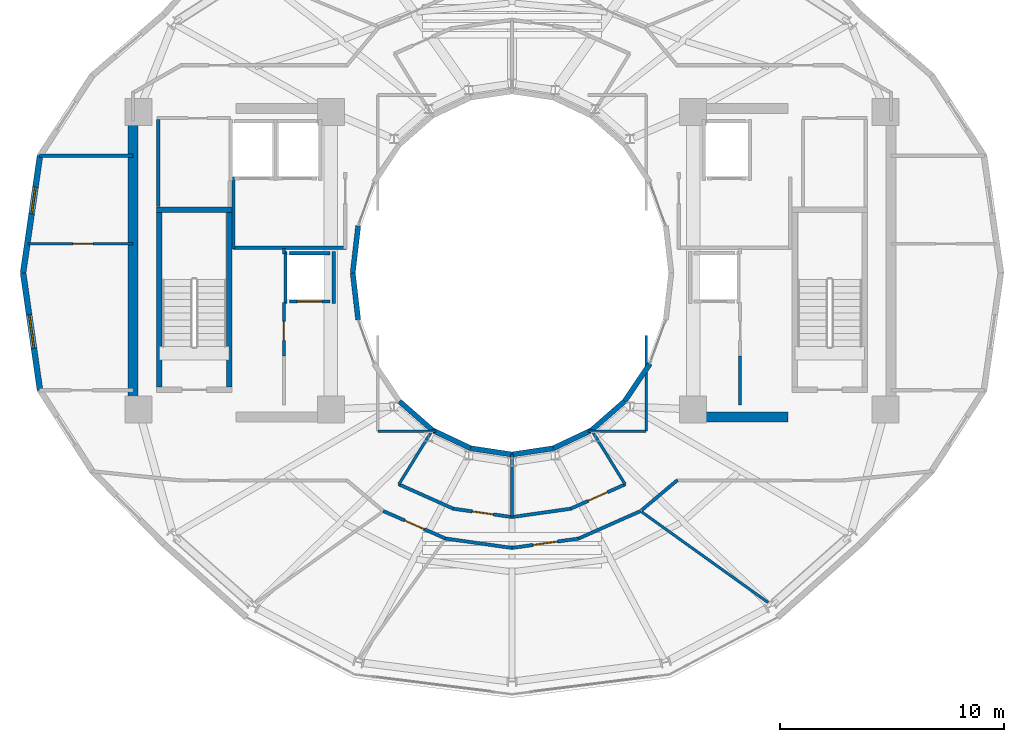
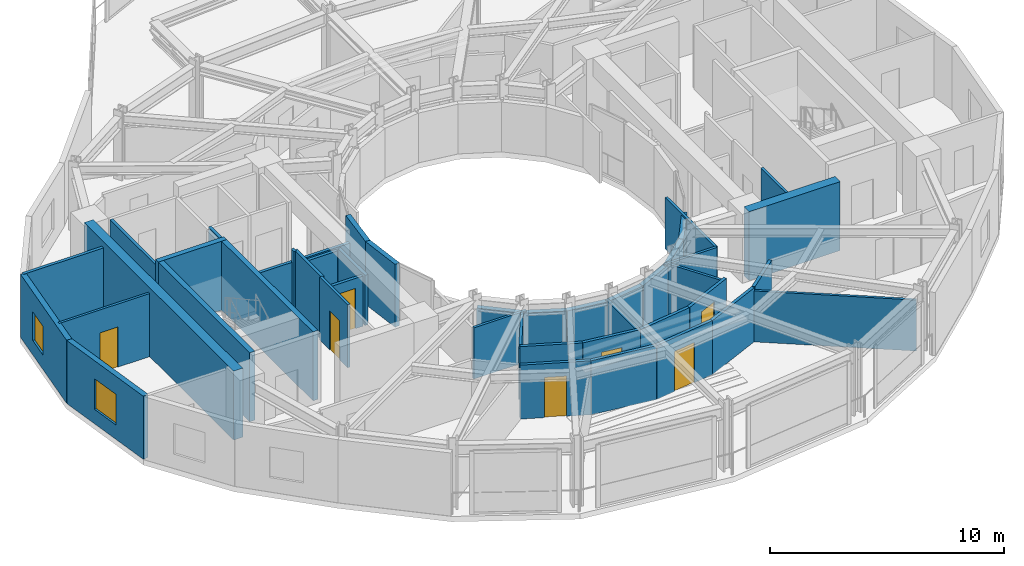
# One storey, part 18 of 24: 44 walls, 7 doors, 2 windows, 9 openings.
"""IFC4 building model written with IfcOpenShell, lengths in metres."""

from ifc_helpers import new_model, si_unit, direction, frame, frame_2d, origin, place, context, subcontext, project, spatial, rectangle, extrude, material, layer, layer_set, type_object, element, fill, save


model = new_model("IFC4")

# Units and contexts
model_context = context("Model", 3, precision=1e-05, world=origin(), true_north=direction((0.0, 1.0)))
body_context = subcontext(model_context, "Body", "Model", "MODEL_VIEW")
ifc_project = project(units=[si_unit("LENGTHUNIT", "METRE"), si_unit("AREAUNIT", "SQUARE_METRE"), si_unit("VOLUMEUNIT", "CUBIC_METRE"), si_unit("PLANEANGLEUNIT", "RADIAN"), si_unit("MASSUNIT", "GRAM", prefix="KILO")], contexts=[model_context])

# Site, building, storey
site_placement = place(None, origin())
site = spatial("IfcSite", under=ifc_project, at=site_placement, CompositionType="ELEMENT")
building_placement = place(site_placement, origin())
building = spatial("IfcBuilding", under=site, at=building_placement, Name="Solvane Sanctuary Tower", CompositionType="ELEMENT")
storey_placement = place(building_placement, frame((0.0, 0.0, 253.199951171875)))
storey = spatial("IfcBuildingStorey", under=building, at=storey_placement, Name="L77", CompositionType="ELEMENT", Elevation=253.199951171875)

# Walls
ifc_material_1 = material(Name="Concrete C50/60", Category="concrete")
ifc_layer_1 = layer(ifc_material_1, 0.449951171875, Name="Concrete C50/60")
ifc_layer_set_1 = layer_set([ifc_layer_1], Name="Concrete C50/60")
wall_type_1 = type_object("IfcWallType", Name="Wall W-CORE-450", PredefinedType="SHEAR", material=ifc_layer_set_1)
wall_1_placement = place(storey_placement, frame((15.050048828125, 17.050048828125, 0.0), z_axis=(0.0, 0.0, 1.0), x_axis=(0.0, 1.0, 0.0)))
element("IfcWall", 1, at=wall_1_placement, inside=storey, type_object=wall_type_1, Name="L77 Core Shear Wall WC-W", PredefinedType="SHEAR", context=body_context, shape_type="SweptSolid", body=[
    extrude(rectangle(XDim=12.800048828125, YDim=0.449951171875, at=frame_2d((6.39990234375, 0.0))), origin(), (0.0, 0.0, 1.0), 3.60009765625),
])
wall_2_placement = place(storey_placement, frame((39.85009765625, 16.550048828125, 0.0), z_axis=(0.0, 0.0, 1.0), x_axis=(1.0, 0.0, 0.0)))
element("IfcWall", 2, at=wall_2_placement, inside=storey, type_object=wall_type_1, Name="L77 Core Shear Wall EC-S", PredefinedType="SHEAR", context=body_context, shape_type="SweptSolid", body=[
    extrude(rectangle(XDim=4.5, YDim=0.449951171875, at=frame_2d((2.25, 0.0))), origin(), (0.0, 0.0, 1.0), 3.60009765625),
])
ifc_material_2 = material(Name="Acoustic Gypsum Partition Board")
ifc_layer_2 = layer(ifc_material_2, 0.14990234375, Name="Acoustic Gypsum Partition Board")
ifc_layer_set_2 = layer_set([ifc_layer_2], Name="Acoustic Gypsum Partition Board")
wall_type_2 = type_object("IfcWallType", Name="Wall W-CORR-150", PredefinedType="PARTITIONING", material=ifc_layer_set_2)
wall_3_placement = place(storey_placement, frame((19.52001953125, 24.1201171875, 0.0), z_axis=(0.0, 0.0, 1.0), x_axis=(1.0, 0.0, 0.0)))
element("IfcWall", 3, at=wall_3_placement, inside=storey, type_object=wall_type_2, Name="L77 West Firefighting Lobby South Wall", PredefinedType="PARTITIONING", context=body_context, shape_type="SweptSolid", body=[
    extrude(rectangle(XDim=5.080078125, YDim=0.14990234375, at=frame_2d((2.5400390625, 0.0))), origin(), (0.0, 0.0, 1.0), 2.6201171875),
])
wall_4_placement = place(storey_placement, frame((19.550048828125, 24.080078125, 0.0), z_axis=(0.0, 0.0, 1.0), x_axis=(0.0, 1.0, 0.0)))
element("IfcWall", 4, at=wall_4_placement, inside=storey, type_object=wall_type_2, Name="L77 West Firefighting Lobby West Wall", PredefinedType="PARTITIONING", context=body_context, shape_type="SweptSolid", body=[
    extrude(rectangle(XDim=3.199951171875, YDim=0.14990234375, at=frame_2d((1.60009765625, 0.0))), origin(), (0.0, 0.0, 1.0), 3.295166015625),
])
wall_5_placement = place(storey_placement, frame((26.934814453125, 13.548583984375, 0.0), z_axis=(0.0, 0.0, 1.0), x_axis=(0.912859324183, -0.408274239027, 0.0)))
element("IfcWall", 5, at=wall_5_placement, inside=storey, type_object=wall_type_2, Name="L77 South Light-Well Corridor Wall 1", PredefinedType="PARTITIONING", context=body_context, shape_type="SweptSolid", body=[
    extrude(rectangle(XDim=2.681884765625, YDim=0.14990234375, at=frame_2d((1.3408203125, 0.0))), origin(), (0.0, 0.0, 1.0), 2.816162109375),
])

# Wall, opening, door
wall_6_placement = place(storey_placement, frame((29.379638671875, 12.45458984375, 0.0), z_axis=(0.0, 0.0, 1.0), x_axis=(0.990096156252, -0.140390887794, 0.0)))
wall_6 = element("IfcWall", 6, at=wall_6_placement, inside=storey, type_object=wall_type_2, Name="L77 South Light-Well Corridor Wall 1", PredefinedType="PARTITIONING", context=body_context, shape_type="SweptSolid", body=[
    extrude(rectangle(XDim=2.65380859375, YDim=0.14990234375, at=frame_2d((1.326904296875, 0.0))), origin(), (0.0, 0.0, 1.0), 2.816162109375),
])
opening_1_placement = place(wall_6_placement, frame((0.851806640625, 0.0, 0.0)))
opening_1 = element("IfcOpeningElement", 7, at=opening_1_placement, cuts=wall_6, Name="Opening D-L77-11", PredefinedType="OPENING", context=body_context, shape_type="SweptSolid", body=[
    extrude(rectangle(XDim=0.949951171875, YDim=2.10009765625, at=frame_2d((0.47509765625, 1.050048828125))), frame((0.0, 0.0849609375, 0.0), z_axis=(0.0, -1.0, 0.0), x_axis=(1.0, 0.0, 0.0)), (0.0, 0.0, 1.0), 0.169921875),
])
ifc_material_3 = material(Name="Engineered Tropical Hardwood", Category="wood")
door_type_1 = type_object("IfcDoorType", Name="Door D-ROOM-950", OperationType="NOTDEFINED", PredefinedType="DOOR", material=ifc_material_3)
door_1_placement = place(opening_1_placement, origin())
door_1 = element("IfcDoor", 8, at=door_1_placement, inside=storey, type_object=door_type_1, Name="L77 South Light-Well Alcove Door 1", OperationType="SINGLE_SWING_LEFT", OverallHeight=2.10009765625, OverallWidth=0.949951171875, PredefinedType="DOOR", context=body_context, shape_type="SweptSolid", body=[
    extrude(rectangle(XDim=0.949951171875, YDim=2.10009765625, at=frame_2d((0.47509765625, 1.050048828125))), frame((0.0, 0.02490234375, 0.0), z_axis=(0.0, -1.0, 0.0), x_axis=(1.0, 0.0, 0.0)), (0.0, 0.0, 1.0), 0.050048828125),
])
fill(opening_1, door_1)

# Wall
wall_7_placement = place(storey_placement, frame((31.992919921875, 12.08203125, 0.0), z_axis=(0.0, 0.0, 1.0), x_axis=(0.990096156252, 0.140390887794, 0.0)))
element("IfcWall", 9, at=wall_7_placement, inside=storey, type_object=wall_type_2, Name="L77 South Light-Well Corridor Wall 2", PredefinedType="PARTITIONING", context=body_context, shape_type="SweptSolid", body=[
    extrude(rectangle(XDim=2.65380859375, YDim=0.14990234375, at=frame_2d((1.326904296875, 0.0))), origin(), (0.0, 0.0, 1.0), 2.816162109375),
])

# Wall, opening, door
wall_8_placement = place(storey_placement, frame((34.616943359375, 12.45361328125, 0.0), z_axis=(0.0, 0.0, 1.0), x_axis=(0.912859324183, 0.408274239027, 0.0)))
wall_8 = element("IfcWall", 10, at=wall_8_placement, inside=storey, type_object=wall_type_2, Name="L77 South Light-Well Corridor Wall 2", PredefinedType="PARTITIONING", context=body_context, shape_type="SweptSolid", body=[
    extrude(rectangle(XDim=2.681884765625, YDim=0.14990234375, at=frame_2d((1.3408203125, 0.0))), origin(), (0.0, 0.0, 1.0), 2.816162109375),
])
opening_2_placement = place(wall_8_placement, frame((0.865966796875, 0.0, 0.0)))
opening_2 = element("IfcOpeningElement", 11, at=opening_2_placement, cuts=wall_8, Name="Opening D-L77-12", PredefinedType="OPENING", context=body_context, shape_type="SweptSolid", body=[
    extrude(rectangle(XDim=0.949951171875, YDim=2.10009765625, at=frame_2d((0.47509765625, 1.050048828125))), frame((0.0, 0.0849609375, 0.0), z_axis=(0.0, -1.0, 0.0), x_axis=(1.0, 0.0, 0.0)), (0.0, 0.0, 1.0), 0.169921875),
])
door_2_placement = place(opening_2_placement, origin())
door_2 = element("IfcDoor", 12, at=door_2_placement, inside=storey, type_object=door_type_1, Name="L77 South Light-Well Alcove Door 2", OperationType="SINGLE_SWING_RIGHT", OverallHeight=2.10009765625, OverallWidth=0.949951171875, PredefinedType="DOOR", context=body_context, shape_type="SweptSolid", body=[
    extrude(rectangle(XDim=0.949951171875, YDim=2.10009765625, at=frame_2d((0.47509765625, 1.050048828125))), frame((0.0, 0.02490234375, 0.0), z_axis=(0.0, -1.0, 0.0), x_axis=(1.0, 0.0, 0.0)), (0.0, 0.0, 1.0), 0.050048828125),
])
fill(opening_2, door_2)

# Walls
wall_9_placement = place(storey_placement, frame((10.87548828125, 28.245361328125, 0.0), z_axis=(0.0, 0.0, 1.0), x_axis=(1.0, 0.0, 0.0)))
element("IfcWall", 13, at=wall_9_placement, inside=storey, type_object=wall_type_2, Name="L77 West Shoulder North Wall", PredefinedType="PARTITIONING", context=body_context, shape_type="SweptSolid", body=[
    extrude(rectangle(XDim=4.174560546875, YDim=0.14990234375, at=frame_2d((2.08740234375, 0.0))), origin(), (0.0, 0.0, 1.0), 3.295166015625),
])
wall_10_placement = place(storey_placement, frame((37.791015625, 12.385009765625, 0.0), z_axis=(0.0, 0.0, 1.0), x_axis=(0.765677451641, 0.643224719711, 0.0)))
element("IfcWall", 14, at=wall_10_placement, inside=storey, type_object=wall_type_2, Name="L77 SE Corner Throat Wall", PredefinedType="PARTITIONING", context=body_context, shape_type="SweptSolid", body=[
    extrude(rectangle(XDim=2.10546875, YDim=0.14990234375, at=frame_2d((1.052734375, 0.0))), origin(), (0.0, 0.0, 1.0), 2.816162109375),
])

# Wall, opening, door
wall_11_placement = place(storey_placement, frame((26.243896484375, 12.35400390625, 0.0), z_axis=(0.0, 0.0, 1.0), x_axis=(0.914302802833, -0.405031337963, 0.0)))
wall_11 = element("IfcWall", 15, at=wall_11_placement, inside=storey, type_object=wall_type_2, Name="L77 Sky Promenade Corridor Wall S1", PredefinedType="PARTITIONING", context=body_context, shape_type="SweptSolid", body=[
    extrude(rectangle(XDim=3.04931640625, YDim=0.14990234375, at=frame_2d((1.524658203125, 0.0))), origin(), (0.0, 0.0, 1.0), 2.816162109375),
])
opening_3_placement = place(wall_11_placement, frame((1.049560546875, 0.0, 0.0)))
opening_3 = element("IfcOpeningElement", 16, at=opening_3_placement, cuts=wall_11, Name="Opening D-L77-24", PredefinedType="OPENING", context=body_context, shape_type="SweptSolid", body=[
    extrude(rectangle(XDim=0.949951171875, YDim=2.10009765625, at=frame_2d((0.47509765625, 1.050048828125))), frame((0.0, 0.0849609375, 0.0), z_axis=(0.0, -1.0, 0.0), x_axis=(1.0, 0.0, 0.0)), (0.0, 0.0, 1.0), 0.169921875),
])
door_3_placement = place(opening_3_placement, origin())
door_3 = element("IfcDoor", 17, at=door_3_placement, inside=storey, type_object=door_type_1, Name="L77 Sky Hall Entrance Door S1", OperationType="SINGLE_SWING_RIGHT", OverallHeight=2.10009765625, OverallWidth=0.949951171875, PredefinedType="DOOR", context=body_context, shape_type="SweptSolid", body=[
    extrude(rectangle(XDim=0.949951171875, YDim=2.10009765625, at=frame_2d((0.47509765625, 1.050048828125))), frame((0.0, 0.02490234375, 0.0), z_axis=(0.0, -1.0, 0.0), x_axis=(1.0, 0.0, 0.0)), (0.0, 0.0, 1.0), 0.050048828125),
])
fill(opening_3, door_3)

# Wall
wall_12_placement = place(storey_placement, frame((29.016357421875, 11.123291015625, 0.0), z_axis=(0.0, 0.0, 1.0), x_axis=(0.990186143936, -0.139754786527, 0.0)))
element("IfcWall", 18, at=wall_12_placement, inside=storey, type_object=wall_type_2, Name="L77 Sky Promenade Corridor Wall S2", PredefinedType="PARTITIONING", context=body_context, shape_type="SweptSolid", body=[
    extrude(rectangle(XDim=3.01513671875, YDim=0.14990234375, at=frame_2d((1.507568359375, 0.0))), origin(), (0.0, 0.0, 1.0), 2.816162109375),
])

# Wall, opening, door
wall_13_placement = place(storey_placement, frame((31.998046875, 10.701904296875, 0.0), z_axis=(0.0, 0.0, 1.0), x_axis=(0.990226662921, 0.139467401357, 0.0)))
wall_13 = element("IfcWall", 19, at=wall_13_placement, inside=storey, type_object=wall_type_2, Name="L77 Sky Promenade Corridor Wall S2", PredefinedType="PARTITIONING", context=body_context, shape_type="SweptSolid", body=[
    extrude(rectangle(XDim=3.009033203125, YDim=0.14990234375, at=frame_2d((1.50439453125, 0.0))), origin(), (0.0, 0.0, 1.0), 2.816162109375),
])
opening_4_placement = place(wall_13_placement, frame((0.95458984375, 0.0, 0.0)))
opening_4 = element("IfcOpeningElement", 20, at=opening_4_placement, cuts=wall_13, Name="Opening D-L77-25", PredefinedType="OPENING", context=body_context, shape_type="SweptSolid", body=[
    extrude(rectangle(XDim=1.10009765625, YDim=2.10009765625, at=frame_2d((0.550048828125, 1.050048828125))), frame((0.0, 0.0849609375, 0.0), z_axis=(0.0, -1.0, 0.0), x_axis=(1.0, 0.0, 0.0)), (0.0, 0.0, 1.0), 0.169921875),
])
ifc_material_4 = material(Name="Architectural Stainless Steel 316", Category="steel")
door_type_2 = type_object("IfcDoorType", Name="Door D-FFL", OperationType="NOTDEFINED", PredefinedType="DOOR", material=ifc_material_4)
door_4_placement = place(opening_4_placement, origin())
door_4 = element("IfcDoor", 21, at=door_4_placement, inside=storey, type_object=door_type_2, Name="L77 Sky Hall Entrance Door S2", OperationType="SINGLE_SWING_LEFT", OverallHeight=2.10009765625, OverallWidth=1.10009765625, PredefinedType="DOOR", context=body_context, shape_type="SweptSolid", body=[
    extrude(rectangle(XDim=1.10009765625, YDim=2.10009765625, at=frame_2d((0.550048828125, 1.050048828125))), frame((0.0, 0.02490234375, 0.0), z_axis=(0.0, -1.0, 0.0), x_axis=(1.0, 0.0, 0.0)), (0.0, 0.0, 1.0), 0.050048828125),
])
fill(opening_4, door_4)

# Wall
wall_14_placement = place(storey_placement, frame((34.97412109375, 11.12060546875, 0.0), z_axis=(0.0, 0.0, 1.0), x_axis=(0.914181699255, 0.405304602425, 0.0)))
element("IfcWall", 22, at=wall_14_placement, inside=storey, type_object=wall_type_2, Name="L77 Sky Promenade Corridor Wall S2", PredefinedType="PARTITIONING", context=body_context, shape_type="SweptSolid", body=[
    extrude(rectangle(XDim=3.043212890625, YDim=0.14990234375, at=frame_2d((1.521484375, 0.0))), origin(), (0.0, 0.0, 1.0), 2.816162109375),
])

# Wall, opening, window
ifc_material_5 = material(Name="Precast concrete C40/50", Category="concrete")
ifc_layer_3 = layer(ifc_material_5, 0.260009765625, Name="Precast concrete C40/50")
ifc_layer_set_3 = layer_set([ifc_layer_3], Name="Precast concrete C40/50")
wall_type_3 = type_object("IfcWallType", Name="Wall W-EXT-250", PredefinedType="STANDARD", material=ifc_layer_set_3)
wall_15_placement = place(storey_placement, frame((10.895263671875, 28.23876953125, 0.0), z_axis=(0.0, 0.0, 1.0), x_axis=(-0.142712754019, -0.989764148593, 0.0)))
wall_15 = element("IfcWall", 23, at=wall_15_placement, inside=storey, type_object=wall_type_3, Name="L77 Ceramic-Printed Facade Wall 11", PredefinedType="STANDARD", context=body_context, shape_type="SweptSolid", body=[
    extrude(rectangle(XDim=5.29296875, YDim=0.260009765625, at=frame_2d((2.646484375, 0.0))), origin(), (0.0, 0.0, 1.0), 3.2900390625),
])
opening_5_placement = place(wall_15_placement, frame((1.414794921875, 0.0, 0.75)))
opening_5 = element("IfcOpeningElement", 24, at=opening_5_placement, cuts=wall_15, Name="Opening WN-OPER-1200", PredefinedType="OPENING", context=body_context, shape_type="SweptSolid", body=[
    extrude(rectangle(XDim=1.199951171875, YDim=1.5, at=frame_2d((0.60009765625, 0.75))), frame((0.0, 0.139892578125, 0.0), z_axis=(0.0, -1.0, 0.0), x_axis=(1.0, 0.0, 0.0)), (0.0, 0.0, 1.0), 0.280029296875),
])
ifc_material_6 = material(Name="Dark Ceramic-Fritted Low-E Glass", Category="glass")
window_type_1 = type_object("IfcWindowType", Name="Window WN-OPER-1200", PartitioningType="SINGLE_PANEL", PredefinedType="WINDOW", material=ifc_material_6)
window_1_placement = place(opening_5_placement, origin())
window_1 = element("IfcWindow", 25, at=window_1_placement, inside=storey, type_object=window_type_1, Name="L77 Operable Facade Window 11", OverallHeight=1.5, OverallWidth=1.199951171875, PartitioningType="SINGLE_PANEL", PredefinedType="WINDOW", context=body_context, shape_type="SweptSolid", body=[
    extrude(rectangle(XDim=1.199951171875, YDim=1.5, at=frame_2d((0.60009765625, 0.75))), frame((0.0, 0.030029296875, 0.0), z_axis=(0.0, -1.0, 0.0), x_axis=(1.0, 0.0, 0.0)), (0.0, 0.0, 1.0), 0.06005859375),
])
fill(opening_5, window_1)

wall_16_placement = place(storey_placement, frame((10.139892578125, 23.0, 0.0), z_axis=(0.0, 0.0, 1.0), x_axis=(0.142712754019, -0.989764148593, 0.0)))
wall_16 = element("IfcWall", 26, at=wall_16_placement, inside=storey, type_object=wall_type_3, Name="L77 Ceramic-Printed Facade Wall 12", PredefinedType="STANDARD", context=body_context, shape_type="SweptSolid", body=[
    extrude(rectangle(XDim=5.29296875, YDim=0.260009765625, at=frame_2d((2.646484375, 0.0))), origin(), (0.0, 0.0, 1.0), 3.2900390625),
])
opening_6_placement = place(wall_16_placement, frame((1.896484375, 0.0, 0.75)))
opening_6 = element("IfcOpeningElement", 27, at=opening_6_placement, cuts=wall_16, Name="Opening WN-OPER-1500", PredefinedType="OPENING", context=body_context, shape_type="SweptSolid", body=[
    extrude(rectangle(XDim=1.5, YDim=1.60009765625, at=frame_2d((0.75, 0.800048828125))), frame((0.0, 0.139892578125, 0.0), z_axis=(0.0, -1.0, 0.0), x_axis=(1.0, 0.0, 0.0)), (0.0, 0.0, 1.0), 0.280029296875),
])
window_type_2 = type_object("IfcWindowType", Name="Window WN-OPER-1500", PartitioningType="SINGLE_PANEL", PredefinedType="WINDOW", material=ifc_material_6)
window_2_placement = place(opening_6_placement, origin())
window_2 = element("IfcWindow", 28, at=window_2_placement, inside=storey, type_object=window_type_2, Name="L77 Operable Facade Window 12", OverallHeight=1.60009765625, OverallWidth=1.5, PartitioningType="SINGLE_PANEL", PredefinedType="WINDOW", context=body_context, shape_type="SweptSolid", body=[
    extrude(rectangle(XDim=1.5, YDim=1.60009765625, at=frame_2d((0.75, 0.800048828125))), frame((0.0, 0.030029296875, 0.0), z_axis=(0.0, -1.0, 0.0), x_axis=(1.0, 0.0, 0.0)), (0.0, 0.0, 1.0), 0.06005859375),
])
fill(opening_6, window_2)

# Walls
ifc_layer_4 = layer(ifc_material_5, 0.22998046875, Name="Precast concrete C40/50")
ifc_layer_set_4 = layer_set([ifc_layer_4], Name="Precast concrete C40/50")
wall_type_4 = type_object("IfcWallType", Name="Wall W-EXT-SP220", PredefinedType="STANDARD", material=ifc_layer_set_4)
for number, where, z_axis, x_axis, name in (
    (29, (25.12255859375, 25.1015625, 0.0), (0.0, 0.0, 1.0), (-0.114711713601, -0.993398823617, 0.0), "L77 Central Light-Well Wall 11"),
    (30, (24.8798828125, 23.0, 0.0), (0.0, 0.0, 1.0), (0.114711713601, -0.993398823617, 0.0), "L77 Central Light-Well Wall 12"),
):
    element("IfcWall", number, at=place(storey_placement, frame(where, z_axis=z_axis, x_axis=x_axis)), inside=storey, type_object=wall_type_4, Name=name, PredefinedType="STANDARD", context=body_context, shape_type="SweptSolid", body=[
        extrude(rectangle(XDim=2.115478515625, YDim=0.22998046875, at=frame_2d((1.0576171875, 0.0))), origin(), (0.0, 0.0, 1.0), 3.280029296875),
    ])
wall_17_placement = place(storey_placement, frame((26.96533203125, 17.25830078125, 0.0), z_axis=(0.0, 0.0, 1.0), x_axis=(0.752576694707, -0.658504607869, 0.0)))
element("IfcWall", 31, at=wall_17_placement, inside=storey, type_object=wall_type_4, Name="L77 Central Light-Well Wall 15", PredefinedType="STANDARD", context=body_context, shape_type="SweptSolid", body=[
    extrude(rectangle(XDim=1.95947265625, YDim=0.22998046875, at=frame_2d((0.979736328125, 0.0))), origin(), (0.0, 0.0, 1.0), 2.60009765625),
])
wall_18_placement = place(storey_placement, frame((28.43994140625, 15.968017578125, 0.0), z_axis=(0.0, 0.0, 1.0), x_axis=(0.904179699603, -0.427152280606, 0.0)))
element("IfcWall", 32, at=wall_18_placement, inside=storey, type_object=wall_type_4, Name="L77 Central Light-Well Wall 16", PredefinedType="STANDARD", context=body_context, shape_type="SweptSolid", body=[
    extrude(rectangle(XDim=1.899169921875, YDim=0.22998046875, at=frame_2d((0.94970703125, 0.0))), origin(), (0.0, 0.0, 1.0), 2.60009765625),
])
for number, where, z_axis, x_axis, name in (
    (33, (30.1572265625, 15.15673828125, 0.0), (0.0, 0.0, 1.0), (0.988901730308, -0.148571086668, 0.0), "L77 Central Light-Well Wall 17"),
    (34, (32.0, 14.8798828125, 0.0), (0.0, 0.0, 1.0), (0.988901730308, 0.148571086668, 0.0), "L77 Central Light-Well Wall 18"),
):
    element("IfcWall", number, at=place(storey_placement, frame(where, z_axis=z_axis, x_axis=x_axis)), inside=storey, type_object=wall_type_4, Name=name, PredefinedType="STANDARD", context=body_context, shape_type="SweptSolid", body=[
        extrude(rectangle(XDim=1.863525390625, YDim=0.22998046875, at=frame_2d((0.931640625, 0.0))), origin(), (0.0, 0.0, 1.0), 2.60009765625),
    ])
wall_19_placement = place(storey_placement, frame((33.8427734375, 15.15673828125, 0.0), z_axis=(0.0, 0.0, 1.0), x_axis=(0.904179699603, 0.427152280606, 0.0)))
element("IfcWall", 35, at=wall_19_placement, inside=storey, type_object=wall_type_4, Name="L77 Central Light-Well Wall 19", PredefinedType="STANDARD", context=body_context, shape_type="SweptSolid", body=[
    extrude(rectangle(XDim=1.899169921875, YDim=0.22998046875, at=frame_2d((0.94970703125, 0.0))), origin(), (0.0, 0.0, 1.0), 2.60009765625),
])
wall_20_placement = place(storey_placement, frame((35.56005859375, 15.968017578125, 0.0), z_axis=(0.0, 0.0, 1.0), x_axis=(0.752576694707, 0.658504607869, 0.0)))
element("IfcWall", 36, at=wall_20_placement, inside=storey, type_object=wall_type_4, Name="L77 Central Light-Well Wall 20", PredefinedType="STANDARD", context=body_context, shape_type="SweptSolid", body=[
    extrude(rectangle(XDim=1.95947265625, YDim=0.22998046875, at=frame_2d((0.979736328125, 0.0))), origin(), (0.0, 0.0, 1.0), 2.60009765625),
])
wall_21_placement = place(storey_placement, frame((37.03466796875, 17.25830078125, 0.0), z_axis=(0.0, 0.0, 1.0), x_axis=(0.558197800898, 0.829707909492, 0.0)))
element("IfcWall", 37, at=wall_21_placement, inside=storey, type_object=wall_type_4, Name="L77 Central Light-Well Wall 21", PredefinedType="STANDARD", context=body_context, shape_type="SweptSolid", body=[
    extrude(rectangle(XDim=2.02685546875, YDim=0.22998046875, at=frame_2d((1.013427734375, 0.0))), origin(), (0.0, 0.0, 1.0), 2.60009765625),
])

# Wall, opening, door
ifc_layer_5 = layer(ifc_material_2, 0.1201171875, Name="Acoustic Gypsum Partition Board")
ifc_layer_set_5 = layer_set([ifc_layer_5], Name="Acoustic Gypsum Partition Board")
wall_type_5 = type_object("IfcWallType", Name="Wall W-MOV-100", PredefinedType="MOVABLE", material=ifc_layer_set_5)
wall_22_placement = place(storey_placement, frame((10.3671875, 24.300048828125, 0.0), z_axis=(0.0, 0.0, 1.0), x_axis=(1.0, 0.0, 0.0)))
wall_22 = element("IfcWall", 38, at=wall_22_placement, inside=storey, type_object=wall_type_5, Name="L77 West Suite Partition", PredefinedType="MOVABLE", context=body_context, shape_type="SweptSolid", body=[
    extrude(rectangle(XDim=4.682861328125, YDim=0.1201171875, at=frame_2d((2.34130859375, 0.0))), origin(), (0.0, 0.0, 1.0), 3.295166015625),
])
opening_7_placement = place(wall_22_placement, frame((2.0, 0.0, 0.0)))
opening_7 = element("IfcOpeningElement", 39, at=opening_7_placement, cuts=wall_22, Name="Opening D-L77-16", PredefinedType="OPENING", context=body_context, shape_type="SweptSolid", body=[
    extrude(rectangle(XDim=0.89990234375, YDim=2.10009765625, at=frame_2d((0.449951171875, 1.050048828125))), frame((0.0, 0.070068359375, 0.0), z_axis=(0.0, -1.0, 0.0), x_axis=(1.0, 0.0, 0.0)), (0.0, 0.0, 1.0), 0.14013671875),
])
door_type_3 = type_object("IfcDoorType", Name="Door D-WET-900", OperationType="NOTDEFINED", PredefinedType="DOOR", material=ifc_material_3)
door_5_placement = place(opening_7_placement, origin())
door_5 = element("IfcDoor", 40, at=door_5_placement, inside=storey, type_object=door_type_3, Name="L77 West Suite Internal Door", OperationType="SINGLE_SWING_RIGHT", OverallHeight=2.10009765625, OverallWidth=0.89990234375, PredefinedType="DOOR", context=body_context, shape_type="SweptSolid", body=[
    extrude(rectangle(XDim=0.89990234375, YDim=2.10009765625, at=frame_2d((0.449951171875, 1.050048828125))), frame((0.0, 0.02490234375, 0.0), z_axis=(0.0, -1.0, 0.0), x_axis=(1.0, 0.0, 0.0)), (0.0, 0.0, 1.0), 0.050048828125),
])
fill(opening_7, door_5)

# Wall
wall_23_placement = place(storey_placement, frame((37.793701171875, 12.317626953125, 0.0), z_axis=(0.0, 0.0, 1.0), x_axis=(0.812763742602, -0.582593424879, 0.0)))
element("IfcWall", 41, at=wall_23_placement, inside=storey, type_object=wall_type_5, Name="L77 Sky Hall Radial Partition 300", PredefinedType="MOVABLE", context=body_context, shape_type="SweptSolid", body=[
    extrude(rectangle(XDim=6.965576171875, YDim=0.1201171875, at=frame_2d((3.48291015625, 0.0))), origin(), (0.0, 0.0, 1.0), 2.66015625),
])

# Wall, opening, door
ifc_layer_6 = layer(ifc_material_2, 0.125, Name="Acoustic Gypsum Partition Board")
ifc_layer_set_6 = layer_set([ifc_layer_6], Name="Acoustic Gypsum Partition Board")
wall_type_6 = type_object("IfcWallType", Name="Wall W-PART-125", PredefinedType="PARTITIONING", material=ifc_layer_set_6)
wall_24_placement = place(storey_placement, frame((21.800048828125, 19.280029296875, 0.0), z_axis=(0.0, 0.0, 1.0), x_axis=(0.0, 1.0, 0.0)))
wall_24 = element("IfcWall", 42, at=wall_24_placement, inside=storey, type_object=wall_type_6, Name="L77 Reclaimed Room Partition PMW", PredefinedType="PARTITIONING", context=body_context, shape_type="SweptSolid", body=[
    extrude(rectangle(XDim=2.39990234375, YDim=0.125, at=frame_2d((1.199951171875, 0.0))), origin(), (0.0, 0.0, 1.0), 3.295166015625),
])
opening_8_placement = place(wall_24_placement, frame((0.699951171875, 0.0, 0.0)))
opening_8 = element("IfcOpeningElement", 43, at=opening_8_placement, cuts=wall_24, Name="Opening D-L77-05", PredefinedType="OPENING", context=body_context, shape_type="SweptSolid", body=[
    extrude(rectangle(XDim=0.85009765625, YDim=2.050048828125, at=frame_2d((0.425048828125, 1.02490234375))), frame((0.0, 0.072509765625, 0.0), z_axis=(0.0, -1.0, 0.0), x_axis=(1.0, 0.0, 0.0)), (0.0, 0.0, 1.0), 0.14501953125),
])
door_type_4 = type_object("IfcDoorType", Name="Door D-RISER", OperationType="NOTDEFINED", PredefinedType="DOOR", material=ifc_material_4)
door_6_placement = place(opening_8_placement, origin())
door_6 = element("IfcDoor", 44, at=door_6_placement, inside=storey, type_object=door_type_4, Name="L77 Reclaimed Room Door PMW-1", OperationType="SINGLE_SWING_LEFT", OverallHeight=2.050048828125, OverallWidth=0.85009765625, PredefinedType="DOOR", context=body_context, shape_type="SweptSolid", body=[
    extrude(rectangle(XDim=0.85009765625, YDim=2.050048828125, at=frame_2d((0.425048828125, 1.02490234375))), frame((0.0, 0.02490234375, 0.0), z_axis=(0.0, -1.0, 0.0), x_axis=(1.0, 0.0, 0.0)), (0.0, 0.0, 1.0), 0.050048828125),
])
fill(opening_8, door_6)

# Walls
wall_25_placement = place(storey_placement, frame((21.800048828125, 23.85009765625, 0.0), z_axis=(0.0, 0.0, 1.0), x_axis=(0.0, 1.0, 0.0)))
element("IfcWall", 45, at=wall_25_placement, inside=storey, type_object=wall_type_6, Name="L77 Reclaimed Room Dividing Wall PMW", PredefinedType="PARTITIONING", context=body_context, shape_type="SweptSolid", body=[
    extrude(rectangle(XDim=0.25, YDim=0.125, at=frame_2d((0.125, 0.0))), origin(), (0.0, 0.0, 1.0), 3.295166015625),
])
wall_26_placement = place(storey_placement, frame((42.199951171875, 17.10009765625, 0.0), z_axis=(0.0, 0.0, 1.0), x_axis=(0.0, 1.0, 0.0)))
element("IfcWall", 46, at=wall_26_placement, inside=storey, type_object=wall_type_6, Name="L77 Reclaimed Room Closer Wall PME-1", PredefinedType="PARTITIONING", context=body_context, shape_type="SweptSolid", body=[
    extrude(rectangle(XDim=2.179931640625, YDim=0.125, at=frame_2d((1.08984375, 0.0))), origin(), (0.0, 0.0, 1.0), 3.295166015625),
])
wall_27_placement = place(storey_placement, frame((28.449951171875, 15.985107421875, 0.0), z_axis=(0.0, 0.0, 1.0), x_axis=(-0.52592395012, -0.850531597702, 0.0)))
element("IfcWall", 47, at=wall_27_placement, inside=storey, type_object=wall_type_6, Name="L77 South Light-Well Radial Wall 240", PredefinedType="PARTITIONING", context=body_context, shape_type="SweptSolid", body=[
    extrude(rectangle(XDim=2.869384765625, YDim=0.125, at=frame_2d((1.4345703125, 0.0))), origin(), (0.0, 0.0, 1.0), 2.672119140625),
])
wall_28_placement = place(storey_placement, frame((32.0, 14.89990234375, 0.0), z_axis=(0.0, 0.0, 1.0), x_axis=(0.0, -1.0, 0.0)))
element("IfcWall", 48, at=wall_28_placement, inside=storey, type_object=wall_type_6, Name="L77 South Light-Well Radial Wall 270", PredefinedType="PARTITIONING", context=body_context, shape_type="SweptSolid", body=[
    extrude(rectangle(XDim=2.81787109375, YDim=0.125, at=frame_2d((1.408935546875, 0.0))), origin(), (0.0, 0.0, 1.0), 2.672119140625),
])
wall_29_placement = place(storey_placement, frame((35.550048828125, 15.985107421875, 0.0), z_axis=(0.0, 0.0, 1.0), x_axis=(0.52592395012, -0.850531597702, 0.0)))
element("IfcWall", 49, at=wall_29_placement, inside=storey, type_object=wall_type_6, Name="L77 South Light-Well Radial Wall 300", PredefinedType="PARTITIONING", context=body_context, shape_type="SweptSolid", body=[
    extrude(rectangle(XDim=2.869384765625, YDim=0.125, at=frame_2d((1.4345703125, 0.0))), origin(), (0.0, 0.0, 1.0), 2.672119140625),
])
wall_30_placement = place(storey_placement, frame((26.0, 15.919921875, 0.0), z_axis=(0.0, 0.0, 1.0), x_axis=(1.0, 0.0, 0.0)))
element("IfcWall", 50, at=wall_30_placement, inside=storey, type_object=wall_type_6, Name="L77 Bridge Alcove Wall 6", PredefinedType="PARTITIONING", context=body_context, shape_type="SweptSolid", body=[
    extrude(rectangle(XDim=2.60009765625, YDim=0.125, at=frame_2d((1.300048828125, 0.0))), origin(), (0.0, 0.0, 1.0), 2.672119140625),
])
wall_31_placement = place(storey_placement, frame((38.0, 15.919921875, 0.0), z_axis=(0.0, 0.0, 1.0), x_axis=(0.0, 1.0, 0.0)))
element("IfcWall", 51, at=wall_31_placement, inside=storey, type_object=wall_type_6, Name="L77 Bridge Alcove Wall 7", PredefinedType="PARTITIONING", context=body_context, shape_type="SweptSolid", body=[
    extrude(rectangle(XDim=4.280029296875, YDim=0.125, at=frame_2d((2.14013671875, 0.0))), origin(), (0.0, 0.0, 1.0), 2.672119140625),
])
wall_32_placement = place(storey_placement, frame((35.39990234375, 15.919921875, 0.0), z_axis=(0.0, 0.0, 1.0), x_axis=(1.0, 0.0, 0.0)))
element("IfcWall", 52, at=wall_32_placement, inside=storey, type_object=wall_type_6, Name="L77 Bridge Alcove Wall 8", PredefinedType="PARTITIONING", context=body_context, shape_type="SweptSolid", body=[
    extrude(rectangle(XDim=2.60009765625, YDim=0.125, at=frame_2d((1.300048828125, 0.0))), origin(), (0.0, 0.0, 1.0), 2.672119140625),
])

# Wall, opening, door
ifc_layer_7 = layer(ifc_material_1, 0.14990234375, Name="Concrete C50/60")
ifc_layer_set_7 = layer_set([ifc_layer_7], Name="Concrete C50/60")
wall_type_7 = type_object("IfcWallType", Name="Wall W-SHAFT-150", PredefinedType="SOLIDWALL", material=ifc_layer_set_7)
wall_33_placement = place(storey_placement, frame((22.0400390625, 21.719970703125, 0.0), z_axis=(0.0, 0.0, 1.0), x_axis=(1.0, 0.0, 0.0)))
wall_33 = element("IfcWall", 53, at=wall_33_placement, inside=storey, type_object=wall_type_7, Name="L77 PH-1 Lift Shaft Wall F", PredefinedType="SOLIDWALL", context=body_context, shape_type="SweptSolid", body=[
    extrude(rectangle(XDim=1.820068359375, YDim=0.14990234375, at=frame_2d((0.91015625, 0.0))), origin(), (0.0, 0.0, 1.0), 2.6201171875),
])
opening_9_placement = place(wall_33_placement, frame((0.360107421875, 0.0, 0.0)))
opening_9 = element("IfcOpeningElement", 54, at=opening_9_placement, cuts=wall_33, Name="Opening LD-L77-01", PredefinedType="OPENING", context=body_context, shape_type="SweptSolid", body=[
    extrude(rectangle(XDim=1.10009765625, YDim=2.10009765625, at=frame_2d((0.550048828125, 1.050048828125))), frame((0.0, 0.0849609375, 0.0), z_axis=(0.0, -1.0, 0.0), x_axis=(1.0, 0.0, 0.0)), (0.0, 0.0, 1.0), 0.169921875),
])
door_type_5 = type_object("IfcDoorType", Name="Door LD-PASS-1100", OperationType="NOTDEFINED", PredefinedType="DOOR", material=ifc_material_4)
door_7_placement = place(opening_9_placement, origin())
door_7 = element("IfcDoor", 55, at=door_7_placement, inside=storey, type_object=door_type_5, Name="L77 PH-1 Lift Landing Door", OperationType="DOUBLE_DOOR_SLIDING", OverallHeight=2.10009765625, OverallWidth=1.10009765625, PredefinedType="DOOR", context=body_context, shape_type="SweptSolid", body=[
    extrude(rectangle(XDim=1.10009765625, YDim=2.10009765625, at=frame_2d((0.550048828125, 1.050048828125))), frame((0.0, 0.02490234375, 0.0), z_axis=(0.0, -1.0, 0.0), x_axis=(1.0, 0.0, 0.0)), (0.0, 0.0, 1.0), 0.050048828125),
])
fill(opening_9, door_7)

# Walls
wall_34_placement = place(storey_placement, frame((22.0400390625, 23.8798828125, 0.0), z_axis=(0.0, 0.0, 1.0), x_axis=(1.0, 0.0, 0.0)))
element("IfcWall", 56, at=wall_34_placement, inside=storey, type_object=wall_type_7, Name="L77 PH-1 Lift Shaft Wall B", PredefinedType="SOLIDWALL", context=body_context, shape_type="SweptSolid", body=[
    extrude(rectangle(XDim=1.820068359375, YDim=0.14990234375, at=frame_2d((0.91015625, 0.0))), origin(), (0.0, 0.0, 1.0), 2.6201171875),
])
wall_35_placement = place(storey_placement, frame((21.8701171875, 21.639892578125, 0.0), z_axis=(0.0, 0.0, 1.0), x_axis=(0.0, 1.0, 0.0)))
element("IfcWall", 57, at=wall_35_placement, inside=storey, type_object=wall_type_7, Name="L77 PH-1 Lift Shaft Wall S1", PredefinedType="SOLIDWALL", context=body_context, shape_type="SweptSolid", body=[
    extrude(rectangle(XDim=2.320068359375, YDim=0.14990234375, at=frame_2d((1.16015625, 0.0))), origin(), (0.0, 0.0, 1.0), 3.295166015625),
])
wall_36_placement = place(storey_placement, frame((24.030029296875, 21.639892578125, 0.0), z_axis=(0.0, 0.0, 1.0), x_axis=(0.0, 1.0, 0.0)))
element("IfcWall", 58, at=wall_36_placement, inside=storey, type_object=wall_type_7, Name="L77 PH-1 Lift Shaft Wall S2", PredefinedType="SOLIDWALL", context=body_context, shape_type="SweptSolid", body=[
    extrude(rectangle(XDim=2.320068359375, YDim=0.14990234375, at=frame_2d((1.16015625, 0.0))), origin(), (0.0, 0.0, 1.0), 2.6201171875),
])
ifc_layer_8 = layer(ifc_material_1, 0.25, Name="Concrete C50/60")
ifc_layer_set_8 = layer_set([ifc_layer_8], Name="Concrete C50/60")
wall_type_8 = type_object("IfcWallType", Name="Wall W-SHAFT-250", PredefinedType="SOLIDWALL", material=ifc_layer_set_8)
wall_37_placement = place(storey_placement, frame((16.10498046875, 25.830078125, 0.0), z_axis=(0.0, 0.0, 1.0), x_axis=(1.0, 0.0, 0.0)))
element("IfcWall", 59, at=wall_37_placement, inside=storey, type_object=wall_type_8, Name="L77 ST-1 Load-Bearing Shaft Wall N", PredefinedType="SOLIDWALL", context=body_context, shape_type="SweptSolid", body=[
    extrude(rectangle(XDim=3.3701171875, YDim=0.25, at=frame_2d((1.68505859375, 0.0))), origin(), (0.0, 0.0, 1.0), 3.60009765625),
])
for number, where, z_axis, x_axis, name in (
    (60, (16.22998046875, 17.89501953125, 0.0), (0.0, 0.0, 1.0), (0.0, 1.0, 0.0), "L77 ST-1 Load-Bearing Shaft Wall W"),
    (61, (19.35009765625, 17.89501953125, 0.0), (0.0, 0.0, 1.0), (0.0, 1.0, 0.0), "L77 ST-1 Load-Bearing Shaft Wall E"),
):
    element("IfcWall", number, at=place(storey_placement, frame(where, z_axis=z_axis, x_axis=x_axis)), inside=storey, type_object=wall_type_8, Name=name, PredefinedType="SOLIDWALL", context=body_context, shape_type="SweptSolid", body=[
        extrude(rectangle(XDim=7.81005859375, YDim=0.25, at=frame_2d((3.905029296875, 0.0))), origin(), (0.0, 0.0, 1.0), 3.60009765625),
    ])
ifc_layer_9 = layer(ifc_material_2, 0.139892578125, Name="Acoustic Gypsum Partition Board")
ifc_layer_set_9 = layer_set([ifc_layer_9], Name="Acoustic Gypsum Partition Board")
wall_type_9 = type_object("IfcWallType", Name="Wall W-WET-140", PredefinedType="PLUMBINGWALL", material=ifc_layer_set_9)
wall_38_placement = place(storey_placement, frame((16.179931640625, 25.97998046875, 0.0), z_axis=(0.0, 0.0, 1.0), x_axis=(0.0, 1.0, 0.0)))
element("IfcWall", 62, at=wall_38_placement, inside=storey, type_object=wall_type_9, Name="L77 Core Service Side Wall KW0-1", PredefinedType="PLUMBINGWALL", context=body_context, shape_type="SweptSolid", body=[
    extrude(rectangle(XDim=3.880126953125, YDim=0.139892578125, at=frame_2d((1.93994140625, 0.0))), origin(), (0.0, 0.0, 1.0), 3.295166015625),
])

save(model, "model.ifc")
